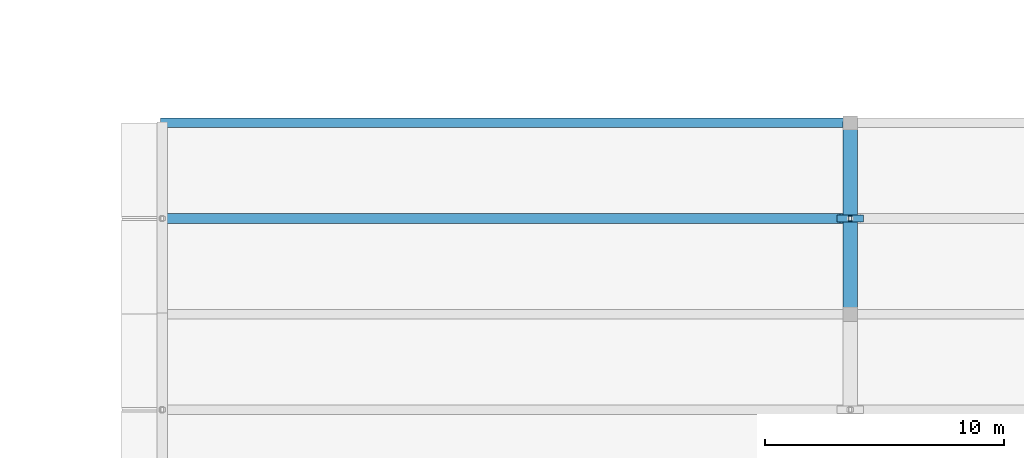
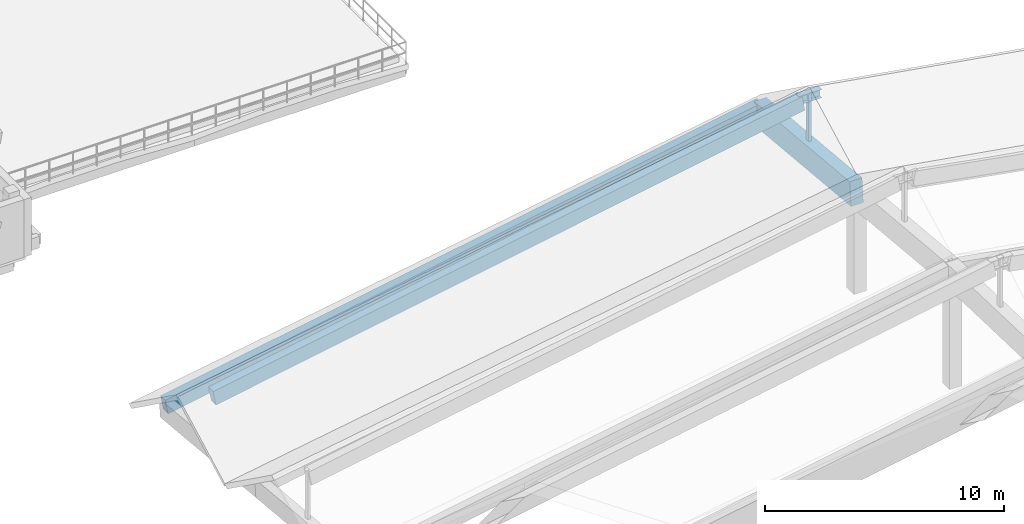
# One storey, part 36 of 109: 3 beams, 2 members.
"""IFC4 building model written with IfcOpenShell, lengths in metres."""

import ifcopenshell
import ifcopenshell.guid

model = None  # the IFC model being written
_history = None  # IfcOwnerHistory: only IFC2X3 demands one
_inside = {}  # id of a spatial element -> (the spatial element, [elements in it])
_under = {}  # id of a project, library or spatial element -> (it, [spatial elements below it])
_declared = {}  # id of a project -> (the project, [libraries it declares])
_typed = {}  # id of a type object -> (the type object, [elements of that type])
_made_of = {}  # id of a material, layer set ... -> (it, [elements and type objects made of it])


def new_model(schema):
    """Start an empty IFC model of exactly this schema.

    Asked for "IFC4X3", IfcOpenShell would pick the latest addendum, in which some entities
    have other attributes; the version numbers below select the first issue.
    IFC2X3 requires an IfcOwnerHistory on every rooted entity: one is made here for all.
    """
    global model, _history
    if schema == "IFC4X3":
        model = ifcopenshell.file(schema_version=(4, 3, 0, 0))
    else:
        model = ifcopenshell.file(schema=schema)
    _inside.clear()
    _under.clear()
    _declared.clear()
    _typed.clear()
    _made_of.clear()
    _history = None
    if model.schema == "IFC2X3":
        org = make("IfcOrganization", Name="unknown")
        user = make(
            "IfcPersonAndOrganization",
            ThePerson=make("IfcPerson", FamilyName="unknown"),
            TheOrganization=org,
        )
        app = make(
            "IfcApplication",
            ApplicationDeveloper=org,
            Version="unknown",
            ApplicationFullName="unknown",
            ApplicationIdentifier="unknown",
        )
        _history = make(
            "IfcOwnerHistory",
            OwningUser=user,
            OwningApplication=app,
            ChangeAction="ADDED",
            CreationDate=0,
        )
    return model


def make(cls, **values):
    """One entity of the class cls with the attributes given. An attribute that is None is left unset."""
    return model.create_entity(
        cls, **{name: value for name, value in values.items() if value is not None}
    )


def rooted(cls, **values):
    """An entity with a GlobalId (a new one), such as an element, a storey or a relation."""
    return make(cls, GlobalId=ifcopenshell.guid.new(), OwnerHistory=_history, **values)


def si_unit(unit_type, name, prefix=None):
    """IfcSIUnit, for example si_unit("LENGTHUNIT", "METRE", prefix="MILLI")."""
    return make("IfcSIUnit", UnitType=unit_type, Prefix=prefix, Name=name)


def assignment(units):
    """IfcUnitAssignment: the units of a project."""
    return None if units is None else make("IfcUnitAssignment", Units=units)


def point(xyz):
    """IfcCartesianPoint."""
    return None if xyz is None else make("IfcCartesianPoint", Coordinates=xyz)


def direction(xyz):
    """IfcDirection."""
    return None if xyz is None else make("IfcDirection", DirectionRatios=xyz)


def frame(location, z_axis=None, x_axis=None):
    """IfcAxis2Placement3D, a coordinate frame: its origin and axes. An axis left out is left unset."""
    return make(
        "IfcAxis2Placement3D",
        Location=point(location),
        Axis=direction(z_axis),
        RefDirection=direction(x_axis),
    )


def frame_2d(location, x_axis=None):
    """IfcAxis2Placement2D, a coordinate frame in the plane: its origin and x axis."""
    return make(
        "IfcAxis2Placement2D", Location=point(location), RefDirection=direction(x_axis)
    )


def origin():
    """The frame at (0, 0, 0) with its axes left unset."""
    return frame((0.0, 0.0, 0.0))


def origin_2d():
    """The frame at (0, 0) in the plane with its x axis left unset."""
    return frame_2d((0.0, 0.0))


def place(relative_to, where):
    """IfcLocalPlacement: puts the frame where relative to a parent placement (None: the world)."""
    return make(
        "IfcLocalPlacement", PlacementRelTo=relative_to, RelativePlacement=where
    )


def context(
    kind, dimensions, precision=None, world=None, true_north=None, identifier=None
):
    """IfcGeometricRepresentationContext, for example the 3D "Model" context."""
    return make(
        "IfcGeometricRepresentationContext",
        ContextIdentifier=identifier,
        ContextType=kind,
        CoordinateSpaceDimension=dimensions,
        Precision=precision,
        WorldCoordinateSystem=world,
        TrueNorth=true_north,
    )


def subcontext(parent, identifier, kind, view, scale=None):
    """IfcGeometricRepresentationSubContext, for example "Body" below "Model"."""
    return make(
        "IfcGeometricRepresentationSubContext",
        ContextIdentifier=identifier,
        ContextType=kind,
        ParentContext=parent,
        TargetScale=scale,
        TargetView=view,
    )


def project(units=None, contexts=None):
    """IfcProject with its units and contexts."""
    return rooted(
        "IfcProject",
        Name="project",
        RepresentationContexts=contexts,
        UnitsInContext=assignment(units),
    )


def spatial(cls, under=None, at=None, **own):
    """A site, building, storey or space (cls), placed at a placement, below another one or the project."""
    s = rooted(cls, ObjectPlacement=at, **own)
    if under is not None:
        _under.setdefault(under.id(), (under, []))[1].append(s)
    return s


def profile(cls, at=None, kind="AREA", **sizes):
    """A parametric profile (cls). Its sizes go by their IFC names, for example OverallWidth=200.0."""
    return make(cls, ProfileType=kind, Position=at, **sizes)


def rectangle(**sizes):
    """IfcRectangleProfileDef."""
    return profile("IfcRectangleProfileDef", **sizes)


def hollow_rectangle(**sizes):
    """IfcRectangleHollowProfileDef."""
    return profile("IfcRectangleHollowProfileDef", **sizes)


def i_section(**sizes):
    """IfcIShapeProfileDef."""
    return profile("IfcIShapeProfileDef", **sizes)


def extrude(swept, where, along, depth):
    """IfcExtrudedAreaSolid: the profile swept, set in the frame where, extruded along a direction by depth."""
    return make(
        "IfcExtrudedAreaSolid",
        SweptArea=swept,
        Position=where,
        ExtrudedDirection=direction(along),
        Depth=depth,
    )


def shape(context_of_items, identifier, shape_type, items):
    """IfcShapeRepresentation: the items that make up one representation, for example the "Body"."""
    return make(
        "IfcShapeRepresentation",
        ContextOfItems=context_of_items,
        RepresentationIdentifier=identifier,
        RepresentationType=shape_type,
        Items=items,
    )


def material(Name=None, Category=None):
    """IfcMaterial."""
    return make("IfcMaterial", Name=Name, Category=Category)


def material_profile(
    of_material, cross_section, Name=None, Category=None, Priority=None
):
    """IfcMaterialProfile: a cross section and its material."""
    return make(
        "IfcMaterialProfile",
        Name=Name,
        Material=of_material,
        Profile=cross_section,
        Priority=Priority,
        Category=Category,
    )


def profile_set(profiles, Name=None, composite=None):
    """IfcMaterialProfileSet."""
    return make(
        "IfcMaterialProfileSet",
        Name=Name,
        MaterialProfiles=profiles,
        CompositeProfile=composite,
    )


def made_of(thing, what):
    """Note that an element or type object is made of a material, layer set ...; save() writes the relation."""
    if what is not None:
        _made_of.setdefault(what.id(), (what, []))[1].append(thing)
    return thing


def type_object(cls, material=None, **own):
    """A type object (cls), such as IfcWallType, which elements share."""
    return made_of(rooted(cls, **own), material)


def element(
    cls,
    number,
    at=None,
    inside=None,
    cuts=None,
    type_object=None,
    material=None,
    context=None,
    identifier="Body",
    shape_type=None,
    held_by="IfcProductDefinitionShape",
    body=None,
    shapes=None,
    **own,
):
    """One element of the class cls, such as IfcWall. Its Tag is "e" and its number.

    at: its placement. inside: the storey or other place that contains it. cuts: it is an
    opening in that element (IfcRelVoidsElement). A single representation is given by context,
    identifier, shape_type and body (its items); several are given by shapes. held_by: the class
    of the entity that holds the representations. save() writes the other relations.
    """
    e = rooted(cls, Tag="e%d" % number, ObjectPlacement=at, **own)
    if body is not None:
        shapes = [shape(context, identifier, shape_type, body)]
    if shapes is not None:
        e.Representation = make(held_by, Representations=shapes)
    if inside is not None:
        _inside.setdefault(inside.id(), (inside, []))[1].append(e)
    if cuts is not None:
        rooted(
            "IfcRelVoidsElement", RelatingBuildingElement=cuts, RelatedOpeningElement=e
        )
    if type_object is not None:
        _typed.setdefault(type_object.id(), (type_object, []))[1].append(e)
    return made_of(e, material)


def aggregate(whole, parts):
    """IfcRelAggregates: a whole, such as a stair, and the parts it consists of."""
    return rooted("IfcRelAggregates", RelatingObject=whole, RelatedObjects=parts)


def save(model, path):
    """Write the relations noted so far, then the file.

    IfcRelAggregates (storeys below a building ...), IfcRelContainedInSpatialStructure (elements
    in a storey), IfcRelDefinesByType, IfcRelAssociatesMaterial and IfcRelDeclares: one each for
    every whole, place, type object, material and project.
    """
    for whole, parts in _under.values():
        aggregate(whole, parts)
    for where, things in _inside.values():
        rooted(
            "IfcRelContainedInSpatialStructure",
            RelatedElements=things,
            RelatingStructure=where,
        )
    for kind, things in _typed.values():
        rooted("IfcRelDefinesByType", RelatedObjects=things, RelatingType=kind)
    for what, things in _made_of.values():
        rooted("IfcRelAssociatesMaterial", RelatedObjects=things, RelatingMaterial=what)
    for by, libraries in _declared.values():
        rooted("IfcRelDeclares", RelatingContext=by, RelatedDefinitions=libraries)
    model.write(path)


model = new_model("IFC4")

# Units and contexts
model_context = context("Model", 3, precision=1e-05, world=origin(), true_north=direction((0.0, 1.0)))
body_context = subcontext(model_context, "Body", "Model", "MODEL_VIEW")
ifc_project = project(units=[si_unit("LENGTHUNIT", "METRE"), si_unit("AREAUNIT", "SQUARE_METRE"), si_unit("VOLUMEUNIT", "CUBIC_METRE"), si_unit("PLANEANGLEUNIT", "RADIAN"), si_unit("MASSUNIT", "GRAM", prefix="KILO")], contexts=[model_context])

# Site, building, storey
site_placement = place(None, origin())
site = spatial("IfcSite", under=ifc_project, at=site_placement, CompositionType="ELEMENT")
building_placement = place(site_placement, origin())
building = spatial("IfcBuilding", under=site, at=building_placement, Name="Zavelmont Quarter", CompositionType="ELEMENT")
storey_placement = place(building_placement, frame((0.0, 0.0, 8.0)))
storey = spatial("IfcBuildingStorey", under=building, at=storey_placement, Name="L02", CompositionType="ELEMENT", Elevation=8.0)

# Beams
ifc_material_1 = material(Name="Concrete C40/50", Category="concrete")
ifc_material_profile_1 = material_profile(ifc_material_1, rectangle(XDim=0.39990234375, YDim=0.75, at=origin_2d()), Name="RC400X750")
ifc_profile_set_1 = profile_set([ifc_material_profile_1], Name="Concrete C40/50")
beam_type_1 = type_object("IfcBeamType", Name="BM05", PredefinedType="BEAM", material=ifc_profile_set_1)
beam_1_placement = place(storey_placement, frame((55.199951171875, 86.0, -0.669921875), z_axis=(0.984681036413, 0.0, 0.174365296229), x_axis=(0.0, 1.0, 0.0)))
element("IfcBeam", 1, at=beam_1_placement, inside=storey, type_object=beam_type_1, Name="L02 beam BM05 9/N to 13/N", PredefinedType="BEAM", context=body_context, shape_type="SweptSolid", body=[
    extrude(rectangle(XDim=0.39990234375, YDim=0.75, at=origin_2d()), origin(), (0.0, 0.0, 1.0), 29.248046875),
])
beam_2_placement = place(storey_placement, frame((55.199951171875, 82.0, 2.205078125), z_axis=(0.984299788364, 0.0, 0.176504749585), x_axis=(0.0, 1.0, 0.0)))
element("IfcBeam", 2, at=beam_2_placement, inside=storey, type_object=beam_type_1, Name="L02 beam BM05 9/M to 13/M", PredefinedType="BEAM", context=body_context, shape_type="SweptSolid", body=[
    extrude(rectangle(XDim=0.39990234375, YDim=0.75, at=origin_2d()), origin(), (0.0, 0.0, 1.0), 28.8935546875),
])
ifc_material_profile_2 = material_profile(ifc_material_1, rectangle(XDim=0.60009765625, YDim=1.199951171875, at=origin_2d()), Name="RC600X1200")
ifc_profile_set_2 = profile_set([ifc_material_profile_2], Name="Concrete C40/50")
beam_type_2 = type_object("IfcBeamType", Name="BM07", PredefinedType="BEAM", material=ifc_profile_set_2)
beam_3_placement = place(storey_placement, frame((84.0, 78.0, 4.955078125), z_axis=(0.0, 0.995634226059, -0.093340708693), x_axis=(-1.0, 0.0, 0.0)))
element("IfcBeam", 3, at=beam_3_placement, inside=storey, type_object=beam_type_2, Name="L02 beam BM07 13/M to 13/N", PredefinedType="BEAM", context=body_context, shape_type="SweptSolid", body=[
    extrude(rectangle(XDim=0.60009765625, YDim=1.199951171875, at=origin_2d()), origin(), (0.0, 0.0, 1.0), 8.03515625),
])

# Members
ifc_material_2 = material(Name="Steel S355", Category="steel")
ifc_material_profile_3 = material_profile(ifc_material_2, hollow_rectangle(XDim=0.139892578125, YDim=0.239990234375, WallThickness=0.010009765625, at=origin_2d()), Name="RHS 240X140X10")
ifc_profile_set_3 = profile_set([ifc_material_profile_3], Name="Steel S355")
member_type_1 = type_object("IfcMemberType", Name="CLM1", PredefinedType="CHORD", material=ifc_profile_set_3)
member_1_placement = place(storey_placement, frame((84.0, 82.0, 5.030029296875), z_axis=(0.0, 0.0, 1.0), x_axis=(1.0, 0.0, 0.0)))
element("IfcMember", 4, at=member_1_placement, inside=storey, type_object=member_type_1, Name="L02 member CLM1 13/M to 13/M", PredefinedType="CHORD", context=body_context, shape_type="SweptSolid", body=[
    extrude(hollow_rectangle(XDim=0.139892578125, YDim=0.239990234375, WallThickness=0.010009765625, at=origin_2d()), origin(), (0.0, 0.0, 1.0), 2.64990234375),
])
ifc_material_profile_4 = material_profile(ifc_material_2, i_section(OverallWidth=0.300048828125, OverallDepth=0.43994140625, WebThickness=0.011474609375, FlangeThickness=0.02099609375, at=origin_2d()), Name="HEA 450")
ifc_profile_set_4 = profile_set([ifc_material_profile_4], Name="Steel S355")
member_type_2 = type_object("IfcMemberType", Name="RFM1", PredefinedType="RAFTER", material=ifc_profile_set_4)
member_2_placement = place(storey_placement, frame((83.449951171875, 82.0, 7.4599609375), z_axis=(1.0, 0.0, 0.0), x_axis=(0.0, 1.0, 0.0)))
element("IfcMember", 5, at=member_2_placement, inside=storey, type_object=member_type_2, Name="L02 member RFM1 13/M to 13/M", PredefinedType="RAFTER", context=body_context, shape_type="SweptSolid", body=[
    extrude(i_section(OverallWidth=0.300048828125, OverallDepth=0.43994140625, WebThickness=0.011474609375, FlangeThickness=0.02099609375, at=origin_2d()), origin(), (0.0, 0.0, 1.0), 1.10009765625),
])

save(model, "model.ifc")
